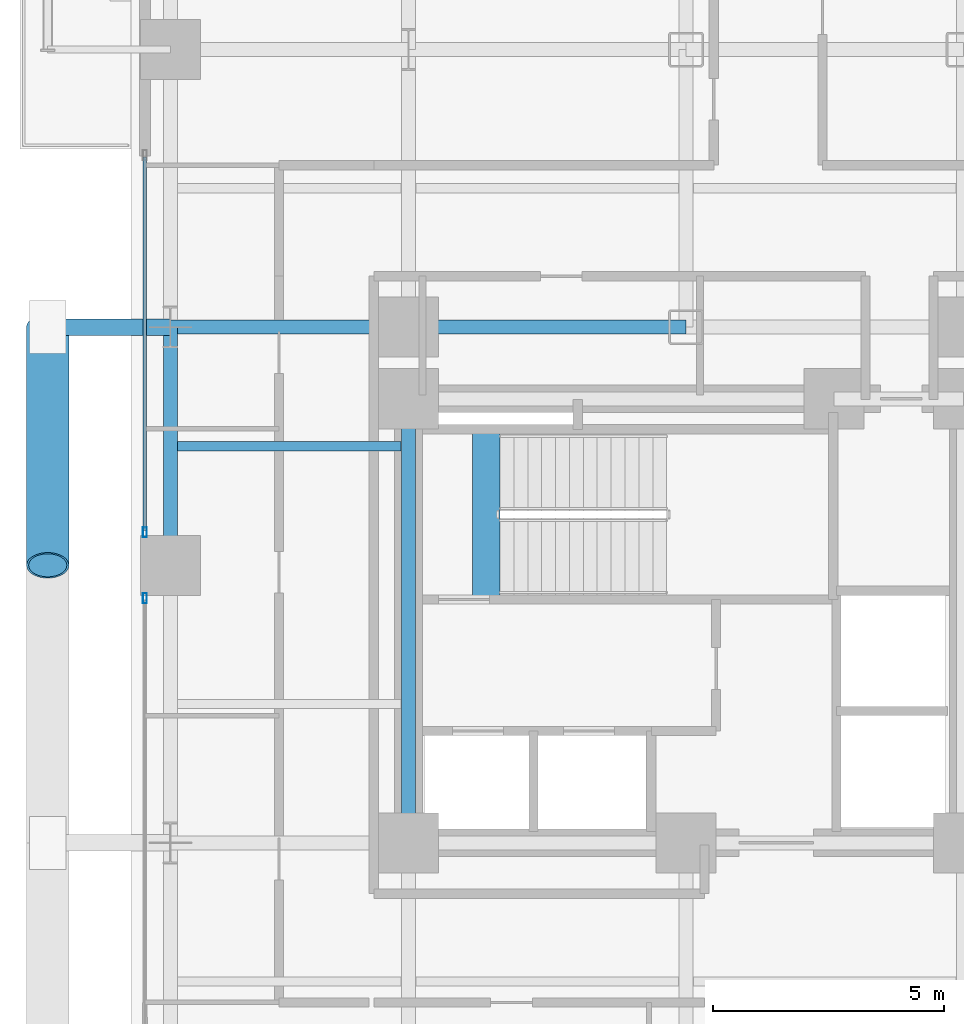
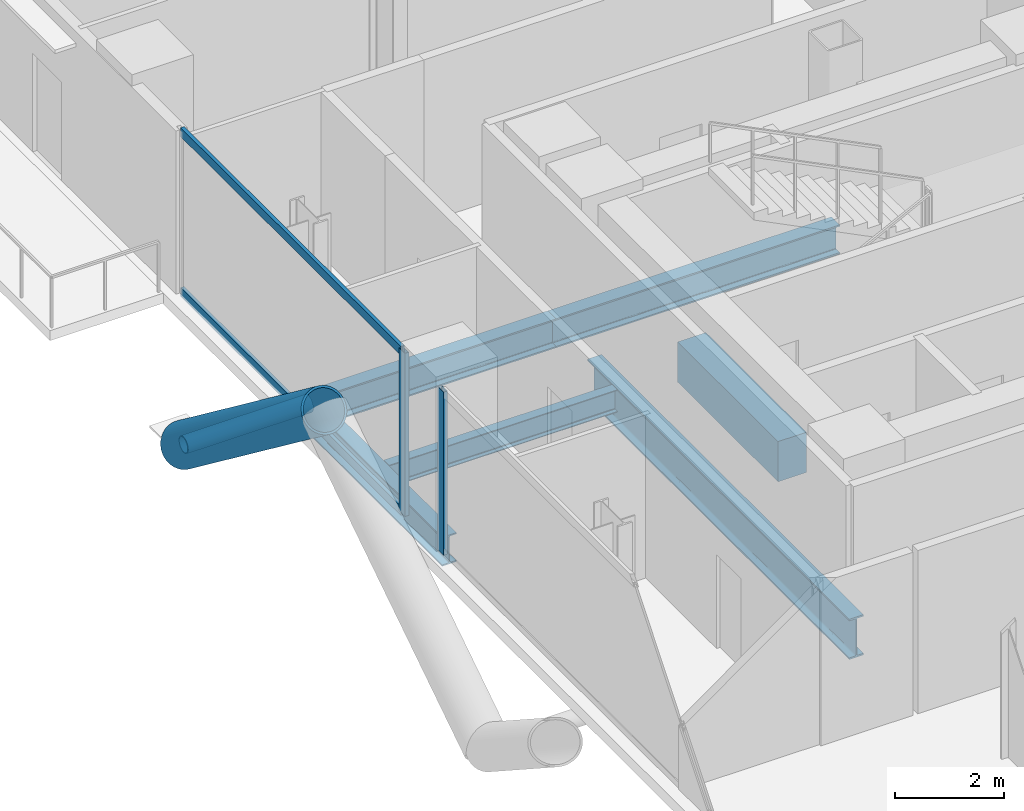
# One storey, part 5 of 27: 6 beams, 6 members, 2 elements without a shape of their own.
"""IFC4 building model written with IfcOpenShell, lengths in metres."""

from ifc_helpers import new_model, si_unit, direction, frame, origin, origin_2d, place, context, subcontext, project, spatial, rectangle, hollow_rectangle, hollow_circle, i_section, extrude, material, layer, layer_set, material_profile, profile_set, type_object, element, aggregate, save


model = new_model("IFC4")

# Units and contexts
model_context = context("Model", 3, precision=1e-05, world=origin(), true_north=direction((0.0, 1.0)))
body_context = subcontext(model_context, "Body", "Model", "MODEL_VIEW")
ifc_project = project(units=[si_unit("LENGTHUNIT", "METRE"), si_unit("AREAUNIT", "SQUARE_METRE"), si_unit("VOLUMEUNIT", "CUBIC_METRE"), si_unit("PLANEANGLEUNIT", "RADIAN"), si_unit("MASSUNIT", "GRAM", prefix="KILO"), si_unit("THERMODYNAMICTEMPERATUREUNIT", "KELVIN"), si_unit("POWERUNIT", "WATT")], contexts=[model_context])

# Site, building, storey
site_placement = place(None, origin())
site = spatial("IfcSite", under=ifc_project, at=site_placement, CompositionType="ELEMENT")
building_placement = place(site_placement, origin())
building = spatial("IfcBuilding", under=site, at=building_placement, Name="Svarakhadi Broadcast Tower", CompositionType="ELEMENT")
storey_placement = place(building_placement, frame((0.0, 0.0, 87.0)))
storey = spatial("IfcBuildingStorey", under=building, at=storey_placement, Name="L20", CompositionType="ELEMENT", Elevation=87.0)

# Beam
ifc_material_1 = material(Name="Steel S355J2 (IS 2062 E350C)", Category="steel")
ifc_material_profile_1 = material_profile(ifc_material_1, i_section(OverallWidth=0.199951171875, OverallDepth=0.5, WebThickness=0.01025390625, FlangeThickness=0.01611328125, FilletRadius=0.02099609375, at=origin_2d()), Name="NPB 500x200x91")
ifc_profile_set_1 = profile_set([ifc_material_profile_1], Name="Steel S355J2 (IS 2062 E350C)")
beam_type_1 = type_object("IfcBeamType", Name="Beam_NPB500", PredefinedType="BEAM", material=ifc_profile_set_1)
beam_1_placement = place(storey_placement, frame((1.010009765625, 26.574951171875, -0.5), z_axis=(1.0, 0.0, 0.0), x_axis=(0.0, 1.0, 0.0)))
element("IfcBeam", 1, at=beam_1_placement, inside=storey, type_object=beam_type_1, Name="L20 Secondary Composite Beam SB004", PredefinedType="BEAM", context=body_context, shape_type="SweptSolid", body=[
    extrude(i_section(OverallWidth=0.199951171875, OverallDepth=0.5, WebThickness=0.01025390625, FlangeThickness=0.01611328125, FilletRadius=0.02099609375, at=origin_2d()), origin(), (0.0, 0.0, 1.0), 4.830078125),
])

# Curtain wall, member
ifc_material_2 = material(Name="Anodised Bronze Aluminium AA 6063-T6", Category="aluminium")
ifc_layer = layer(ifc_material_2, 0.219970703125)
ifc_layer_set = layer_set([ifc_layer], Name="Anodised Bronze Aluminium AA 6063-T6")
curtain_wall_type = type_object("IfcCurtainWallType", Name="CW_Sys_02", PredefinedType="NOTDEFINED", material=ifc_layer_set)
curtain_wall_1_placement = place(storey_placement, origin())
curtain_wall_1 = element("IfcCurtainWall", 2, at=curtain_wall_1_placement, inside=storey, type_object=curtain_wall_type, Name="L20 West Curtain Wall 02 Bay 2", PredefinedType="NOTDEFINED")
ifc_material_profile_2 = material_profile(ifc_material_2, hollow_rectangle(XDim=0.0849609375, YDim=0.219970703125, WallThickness=0.006103515625, at=origin_2d()), Name="ALU MULLION 220x85x6")
ifc_profile_set_2 = profile_set([ifc_material_profile_2], Name="Anodised Bronze Aluminium AA 6063-T6")
member_type_1 = type_object("IfcMemberType", Name="CW_Sys_02_Mul", PredefinedType="MULLION", material=ifc_profile_set_2)
member_1_placement = place(storey_placement, frame((0.300048828125, 23.28759765625, 0.0), z_axis=(0.0, 0.0, 1.0), x_axis=(-1.0, 0.0, 0.0)))
member_1 = element("IfcMember", 3, at=member_1_placement, type_object=member_type_1, Name="CW-02 mullion 2", PredefinedType="MULLION", context=body_context, shape_type="SweptSolid", body=[
    extrude(hollow_rectangle(XDim=0.0849609375, YDim=0.219970703125, WallThickness=0.006103515625, at=origin_2d()), origin(), (0.0, 0.0, 1.0), 3.64990234375),
])
aggregate(curtain_wall_1, [member_1])

# Curtain wall, members
curtain_wall_2_placement = place(storey_placement, origin())
curtain_wall_2 = element("IfcCurtainWall", 4, at=curtain_wall_2_placement, inside=storey, type_object=curtain_wall_type, Name="L20 West Curtain Wall 02 Bay 3", PredefinedType="NOTDEFINED")
member_2_placement = place(storey_placement, frame((0.300048828125, 24.71240234375, 0.0), z_axis=(0.0, 0.0, 1.0), x_axis=(-1.0, 0.0, 0.0)))
member_2 = element("IfcMember", 5, at=member_2_placement, type_object=member_type_1, Name="CW-02 mullion 1", PredefinedType="MULLION", context=body_context, shape_type="SweptSolid", body=[
    extrude(hollow_rectangle(XDim=0.0849609375, YDim=0.219970703125, WallThickness=0.006103515625, at=origin_2d()), origin(), (0.0, 0.0, 1.0), 3.64990234375),
])
ifc_material_profile_3 = material_profile(ifc_material_2, hollow_rectangle(XDim=0.074951171875, YDim=0.199951171875, WallThickness=0.0048828125, at=origin_2d()), Name="ALU TRANSOM 200x75x5")
ifc_profile_set_3 = profile_set([ifc_material_profile_3], Name="Anodised Bronze Aluminium AA 6063-T6")
member_type_2 = type_object("IfcMemberType", Name="CW_Sys_02_Trn", PredefinedType="USERDEFINED", material=ifc_profile_set_3)
member_3_placement = place(storey_placement, frame((0.300048828125, 24.7548828125, 0.03759765625), z_axis=(0.0, 1.0, 0.0), x_axis=(-1.0, 0.0, 0.0)))
member_3 = element("IfcMember", 6, at=member_3_placement, type_object=member_type_2, Name="CW-02 transom 1.1", ObjectType="TRANSOM", PredefinedType="USERDEFINED", context=body_context, shape_type="SweptSolid", body=[
    extrude(hollow_rectangle(XDim=0.074951171875, YDim=0.199951171875, WallThickness=0.0048828125, at=origin_2d()), origin(), (0.0, 0.0, 1.0), 8.070068359375),
])
member_4_placement = place(storey_placement, frame((0.300048828125, 24.7548828125, 3.612548828125), z_axis=(0.0, 1.0, 0.0), x_axis=(-1.0, 0.0, 0.0)))
member_4 = element("IfcMember", 7, at=member_4_placement, type_object=member_type_2, Name="CW-02 transom 1.2", ObjectType="TRANSOM", PredefinedType="USERDEFINED", context=body_context, shape_type="SweptSolid", body=[
    extrude(hollow_rectangle(XDim=0.074951171875, YDim=0.199951171875, WallThickness=0.0048828125, at=origin_2d()), origin(), (0.0, 0.0, 1.0), 8.070068359375),
])
aggregate(curtain_wall_2, [member_2, member_3, member_4])

# Beam
ifc_material_3 = material(Name="Concrete C50/60 (IS 456 M60)", Category="concrete")
ifc_material_profile_4 = material_profile(ifc_material_3, rectangle(XDim=0.60009765625, YDim=0.89990234375, at=origin_2d()), Name="RC 600x900")
ifc_profile_set_4 = profile_set([ifc_material_profile_4], Name="Concrete C50/60 (IS 456 M60)")
beam_type_2 = type_object("IfcBeamType", Name="Coupling_RC600", PredefinedType="USERDEFINED", material=ifc_profile_set_4)
beam_2_placement = place(storey_placement, frame((7.679931640625, 23.260009765625, -0.449951171875), z_axis=(0.0, 1.0, 0.0), x_axis=(-1.0, 0.0, 0.0)))
element("IfcBeam", 8, at=beam_2_placement, inside=storey, type_object=beam_type_2, Name="L20 Stair ST-01 Landing Throat Trimmer Beam CB-01", ObjectType="GIRDER", PredefinedType="USERDEFINED", context=body_context, shape_type="SweptSolid", body=[
    extrude(rectangle(XDim=0.60009765625, YDim=0.89990234375, at=origin_2d()), origin(), (0.0, 0.0, 1.0), 3.679931640625),
])

# Members
ifc_material_4 = material(Name="Steel S460ML (IS 2062 E450BR)", Category="steel")
ifc_material_profile_5 = material_profile(ifc_material_4, hollow_circle(Radius=0.45703125, WallThickness=0.044921875, at=origin_2d()), Name="CHS 914x45")
ifc_profile_set_5 = profile_set([ifc_material_profile_5], Name="Steel S460ML (IS 2062 E450BR)")
member_type_3 = type_object("IfcMemberType", Name="Exo_Brace_CHS914", PredefinedType="BRACE", material=ifc_profile_set_5)
member_5_placement = place(storey_placement, frame((-1.800048828125, 29.14990234375, -0.427734375), z_axis=(0.0, -0.797206791841, 0.603706328476), x_axis=(1.0, 0.0, 0.0)))
element("IfcMember", 9, at=member_5_placement, inside=storey, type_object=member_type_3, Name="L20 Exposed Bronze Exoskeleton Diagonal W09", PredefinedType="BRACE", context=body_context, shape_type="SweptSolid", body=[
    extrude(hollow_circle(Radius=0.45703125, WallThickness=0.044921875, at=origin_2d()), origin(), (0.0, 0.0, 1.0), 6.4599609375),
])
ifc_material_profile_6 = material_profile(ifc_material_4, hollow_circle(Radius=0.177734375, WallThickness=0.02001953125, at=origin_2d()), Name="CHS 355.6x20")
ifc_profile_set_6 = profile_set([ifc_material_profile_6], Name="Steel S460ML (IS 2062 E450BR)")
member_type_4 = type_object("IfcMemberType", Name="Exo_Radial_Strut_Z1", PredefinedType="STRUT", material=ifc_profile_set_6)
member_6_placement = place(storey_placement, frame((-1.800048828125, 29.14990234375, -0.427734375), z_axis=(1.0, 0.0, 0.0), x_axis=(0.0, 1.0, 0.0)))
element("IfcMember", 10, at=member_6_placement, inside=storey, type_object=member_type_4, Name="L20 Exoskeleton Radial Tie Strut W07", PredefinedType="STRUT", context=body_context, shape_type="SweptSolid", body=[
    extrude(hollow_circle(Radius=0.177734375, WallThickness=0.02001953125, at=origin_2d()), origin(), (0.0, 0.0, 1.0), 2.650146484375),
])

# Beams
ifc_material_profile_7 = material_profile(ifc_material_1, i_section(OverallWidth=0.300048828125, OverallDepth=0.64990234375, WebThickness=0.01611328125, FlangeThickness=0.031005859375, FilletRadius=0.027099609375, at=origin_2d()), Name="WPB 650x300x225")
ifc_profile_set_7 = profile_set([ifc_material_profile_7], Name="Steel S355J2 (IS 2062 E350C)")
beam_type_3 = type_object("IfcBeamType", Name="Girder_WPB650", PredefinedType="USERDEFINED", material=ifc_profile_set_7)
beam_3_placement = place(storey_placement, frame((0.85009765625, 29.14990234375, -0.574951171875), z_axis=(1.0, 0.0, 0.0), x_axis=(0.0, 1.0, 0.0)))
element("IfcBeam", 11, at=beam_3_placement, inside=storey, type_object=beam_type_3, Name="L20 Primary E-W Girder G034", ObjectType="GIRDER", PredefinedType="USERDEFINED", context=body_context, shape_type="SweptSolid", body=[
    extrude(i_section(OverallWidth=0.300048828125, OverallDepth=0.64990234375, WebThickness=0.01611328125, FlangeThickness=0.031005859375, FilletRadius=0.027099609375, at=origin_2d()), origin(), (0.0, 0.0, 1.0), 5.14990234375),
])
beam_4_placement = place(storey_placement, frame((6.0, 29.14990234375, -0.574951171875), z_axis=(1.0, 0.0, 0.0), x_axis=(0.0, 1.0, 0.0)))
element("IfcBeam", 12, at=beam_4_placement, inside=storey, type_object=beam_type_3, Name="L20 Primary E-W Girder G035", ObjectType="GIRDER", PredefinedType="USERDEFINED", context=body_context, shape_type="SweptSolid", body=[
    extrude(i_section(OverallWidth=0.300048828125, OverallDepth=0.64990234375, WebThickness=0.01611328125, FlangeThickness=0.031005859375, FilletRadius=0.027099609375, at=origin_2d()), origin(), (0.0, 0.0, 1.0), 6.0),
])
beam_5_placement = place(storey_placement, frame((0.85009765625, 24.0, -0.574951171875), z_axis=(0.0, 1.0, 0.0), x_axis=(-1.0, 0.0, 0.0)))
element("IfcBeam", 13, at=beam_5_placement, inside=storey, type_object=beam_type_3, Name="L20 Primary N-S Girder G048", ObjectType="GIRDER", PredefinedType="USERDEFINED", context=body_context, shape_type="SweptSolid", body=[
    extrude(i_section(OverallWidth=0.300048828125, OverallDepth=0.64990234375, WebThickness=0.01611328125, FlangeThickness=0.031005859375, FilletRadius=0.027099609375, at=origin_2d()), origin(), (0.0, 0.0, 1.0), 5.14990234375),
])
ifc_material_profile_8 = material_profile(ifc_material_4, i_section(OverallWidth=0.300048828125, OverallDepth=0.89990234375, WebThickness=0.0185546875, FlangeThickness=0.034912109375, FilletRadius=0.030029296875, at=origin_2d()), Name="WPB 900x300x291")
ifc_profile_set_8 = profile_set([ifc_material_profile_8], Name="Steel S460ML (IS 2062 E450BR)")
beam_type_4 = type_object("IfcBeamType", Name="Girder_WPB900", PredefinedType="USERDEFINED", material=ifc_profile_set_8)
beam_6_placement = place(storey_placement, frame((6.0, 18.0, -0.699951171875), z_axis=(0.0, 1.0, 0.0), x_axis=(-1.0, 0.0, 0.0)))
element("IfcBeam", 14, at=beam_6_placement, inside=storey, type_object=beam_type_4, Name="L20 Primary N-S Girder G054", ObjectType="GIRDER", PredefinedType="USERDEFINED", context=body_context, shape_type="SweptSolid", body=[
    extrude(i_section(OverallWidth=0.300048828125, OverallDepth=0.89990234375, WebThickness=0.0185546875, FlangeThickness=0.034912109375, FilletRadius=0.030029296875, at=origin_2d()), origin(), (0.0, 0.0, 1.0), 9.60009765625),
])

save(model, "model.ifc")
